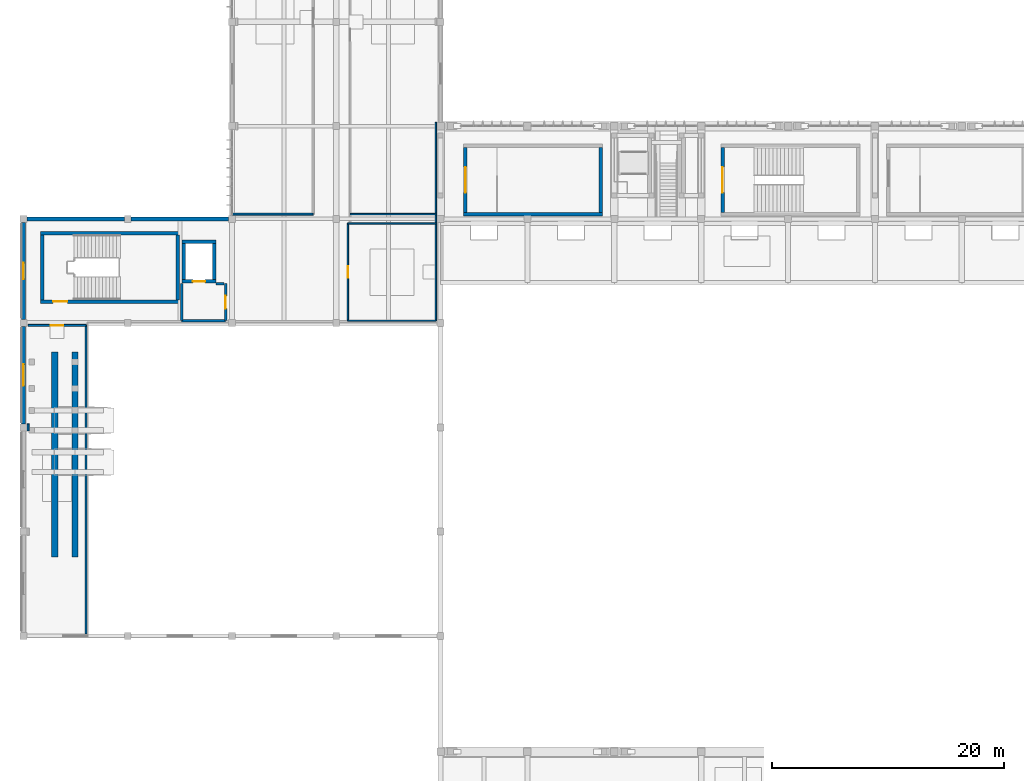
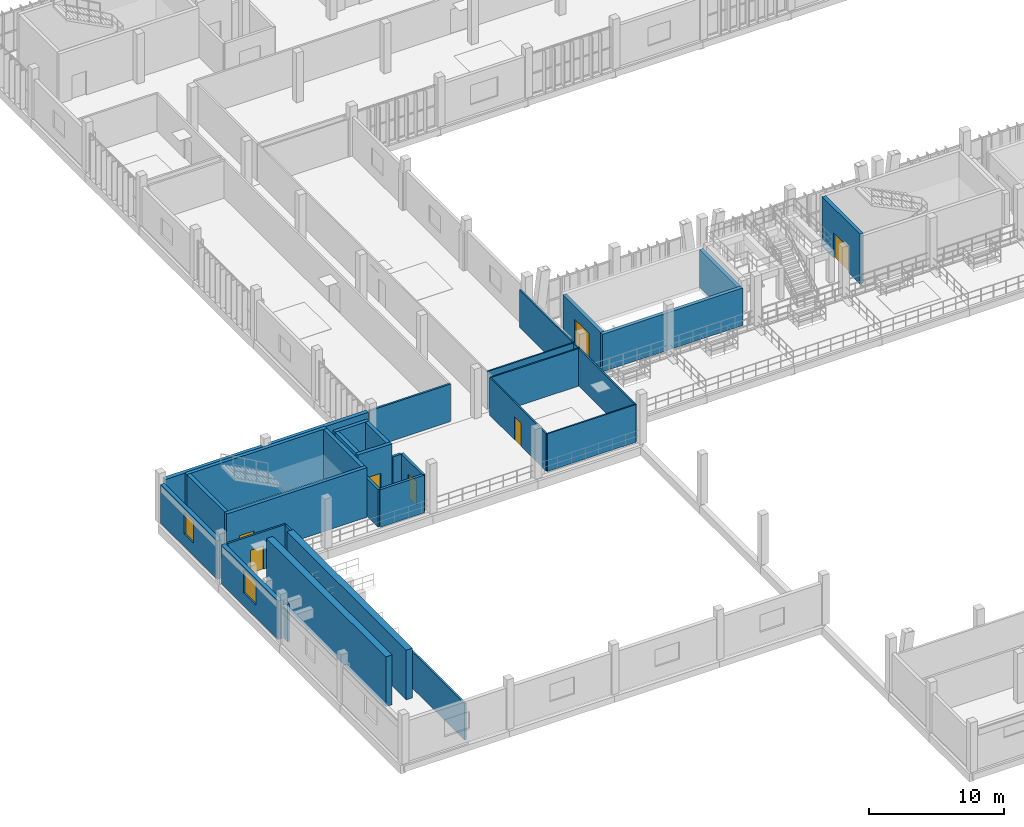
# One storey, part 52 of 81: 32 walls, 7 doors, 2 windows, 9 openings.
"""IFC4 building model written with IfcOpenShell, lengths in metres."""

from ifc_helpers import new_model, si_unit, direction, frame, frame_2d, origin, place, context, subcontext, project, spatial, rectangle, extrude, material, layer, layer_set, type_object, element, fill, save


model = new_model("IFC4")

# Units and contexts
model_context = context("Model", 3, precision=1e-05, world=origin(), true_north=direction((0.0, 1.0)))
body_context = subcontext(model_context, "Body", "Model", "MODEL_VIEW")
ifc_project = project(units=[si_unit("LENGTHUNIT", "METRE"), si_unit("AREAUNIT", "SQUARE_METRE"), si_unit("VOLUMEUNIT", "CUBIC_METRE"), si_unit("PLANEANGLEUNIT", "RADIAN"), si_unit("MASSUNIT", "GRAM", prefix="KILO")], contexts=[model_context])

# Site, building, storey
site_placement = place(None, origin())
site = spatial("IfcSite", under=ifc_project, at=site_placement, CompositionType="ELEMENT")
building_placement = place(site_placement, origin())
building = spatial("IfcBuilding", under=site, at=building_placement, Name="Vourika Railside Aquatics Centre", CompositionType="ELEMENT")
storey_placement = place(building_placement, frame((0.0, 0.0, 4.800048828125)))
storey = spatial("IfcBuildingStorey", under=building, at=storey_placement, Name="L01", CompositionType="ELEMENT", Elevation=4.800048828125)

# Wall, opening, door
ifc_material_1 = material(Name="Concrete C40/50", Category="concrete")
ifc_layer_1 = layer(ifc_material_1, 0.300048828125, Name="WL-CORE")
ifc_layer_set_1 = layer_set([ifc_layer_1], Name="Concrete C40/50")
wall_type_1 = type_object("IfcWallType", Name="WL-CORE", PredefinedType="SHEAR", material=ifc_layer_set_1)
wall_1_placement = place(storey_placement, frame((1.449951171875, 50.85009765625, 0.0), z_axis=(0.0, 0.0, 1.0), x_axis=(1.0, 0.0, 0.0)))
wall_1 = element("IfcWall", 1, at=wall_1_placement, inside=storey, type_object=wall_type_1, Name="Protected Exit Stair Core ST04 South Wall (L01)", PredefinedType="SHEAR", context=body_context, shape_type="SweptSolid", body=[
    extrude(rectangle(XDim=12.0, YDim=0.300048828125, at=frame_2d((6.0, 0.0))), origin(), (0.0, 0.0, 1.0), 4.5),
])
opening_1_placement = place(wall_1_placement, frame((1.10009765625, 0.0, 0.0)))
opening_1 = element("IfcOpeningElement", 2, at=opening_1_placement, cuts=wall_1, Name="Opening DF02", PredefinedType="OPENING", context=body_context, shape_type="SweptSolid", body=[
    extrude(rectangle(XDim=1.25, YDim=2.14990234375, at=frame_2d((0.625, 1.074951171875))), frame((0.0, 0.16015625, 0.0), z_axis=(0.0, -1.0, 0.0), x_axis=(1.0, 0.0, 0.0)), (0.0, 0.0, 1.0), 0.320068359375),
])
ifc_material_2 = material(Name="Fire-rated wide exit stair door")
door_type_1 = type_object("IfcDoorType", Name="DR-FD60-125", OperationType="NOTDEFINED", PredefinedType="DOOR", material=ifc_material_2)
door_1_placement = place(opening_1_placement, origin())
door_1 = element("IfcDoor", 3, at=door_1_placement, inside=storey, type_object=door_type_1, Name="Protected Exit Stair Core ST04 Enclosure Fire Door (L01)", OperationType="SINGLE_SWING_RIGHT", OverallHeight=2.14990234375, OverallWidth=1.25, PredefinedType="DOOR", context=body_context, shape_type="SweptSolid", body=[
    extrude(rectangle(XDim=1.25, YDim=2.14990234375, at=frame_2d((0.625, 1.074951171875))), frame((0.0, 0.02490234375, 0.0), z_axis=(0.0, -1.0, 0.0), x_axis=(1.0, 0.0, 0.0)), (0.0, 0.0, 1.0), 0.050048828125),
])
fill(opening_1, door_1)

# Walls
wall_2_placement = place(storey_placement, frame((13.449951171875, 56.75, 0.0), z_axis=(0.0, 0.0, 1.0), x_axis=(-1.0, 0.0, 0.0)))
element("IfcWall", 4, at=wall_2_placement, inside=storey, type_object=wall_type_1, Name="Protected Exit Stair Core ST04 North Wall (L01)", PredefinedType="SHEAR", context=body_context, shape_type="SweptSolid", body=[
    extrude(rectangle(XDim=12.0, YDim=0.300048828125, at=frame_2d((6.0, 0.0))), origin(), (0.0, 0.0, 1.0), 4.5),
])
for number, where, z_axis, x_axis, name in (
    (5, (1.60009765625, 56.60009765625, 0.0), (0.0, 0.0, 1.0), (0.0, -1.0, 0.0), "Protected Exit Stair Core ST04 West Wall (L01)"),
    (6, (13.300048828125, 51.0, 0.0), (0.0, 0.0, 1.0), (0.0, 1.0, 0.0), "Protected Exit Stair Core ST04 East Wall (L01)"),
):
    element("IfcWall", number, at=place(storey_placement, frame(where, z_axis=z_axis, x_axis=x_axis)), inside=storey, type_object=wall_type_1, Name=name, PredefinedType="SHEAR", context=body_context, shape_type="SweptSolid", body=[
        extrude(rectangle(XDim=5.60009765625, YDim=0.300048828125, at=frame_2d((2.800048828125, 0.0))), origin(), (0.0, 0.0, 1.0), 4.5),
    ])
wall_3_placement = place(storey_placement, frame((38.0, 58.39990234375, 0.0), z_axis=(0.0, 0.0, 1.0), x_axis=(1.0, 0.0, 0.0)))
element("IfcWall", 7, at=wall_3_placement, inside=storey, type_object=wall_type_1, Name="Grandstand Vomitory Exit Stair ST07 South Wall (L01)", PredefinedType="SHEAR", context=body_context, shape_type="SweptSolid", body=[
    extrude(rectangle(XDim=12.0, YDim=0.300048828125, at=frame_2d((6.0, 0.0))), origin(), (0.0, 0.0, 1.0), 3.39990234375),
])

# Wall, opening, door
wall_4_placement = place(storey_placement, frame((38.14990234375, 64.14990234375, 0.0), z_axis=(0.0, 0.0, 1.0), x_axis=(0.0, -1.0, 0.0)))
wall_4 = element("IfcWall", 8, at=wall_4_placement, inside=storey, type_object=wall_type_1, Name="Grandstand Vomitory Exit Stair ST07 West Wall (L01)", PredefinedType="SHEAR", context=body_context, shape_type="SweptSolid", body=[
    extrude(rectangle(XDim=5.599853515625, YDim=0.300048828125, at=frame_2d((2.7998046875, 0.0))), origin(), (0.0, 0.0, 1.0), 3.39990234375),
])
opening_2_placement = place(wall_4_placement, frame((1.699951171875, 0.0, 0.0)))
opening_2 = element("IfcOpeningElement", 9, at=opening_2_placement, cuts=wall_4, Name="Opening DF04", PredefinedType="OPENING", context=body_context, shape_type="SweptSolid", body=[
    extrude(rectangle(XDim=2.199951171875, YDim=2.25, at=frame_2d((1.10009765625, 1.125))), frame((0.0, 0.16015625, 0.0), z_axis=(0.0, -1.0, 0.0), x_axis=(1.0, 0.0, 0.0)), (0.0, 0.0, 1.0), 0.320068359375),
])
ifc_material_3 = material(Name="Fire-rated vomitory concourse double door")
door_type_2 = type_object("IfcDoorType", Name="DR-FD60D-220", OperationType="DOUBLE_DOOR_SINGLE_SWING", PredefinedType="DOOR", material=ifc_material_3)
door_2_placement = place(opening_2_placement, origin())
door_2 = element("IfcDoor", 10, at=door_2_placement, inside=storey, type_object=door_type_2, Name="Grandstand Vomitory Exit Stair ST07 Vomitory Portal Door (L01)", OperationType="DOUBLE_DOOR_SINGLE_SWING", OverallHeight=2.25, OverallWidth=2.199951171875, PredefinedType="DOOR", context=body_context, shape_type="SweptSolid", body=[
    extrude(rectangle(XDim=2.199951171875, YDim=2.25, at=frame_2d((1.10009765625, 1.125))), frame((0.0, 0.02490234375, 0.0), z_axis=(0.0, -1.0, 0.0), x_axis=(1.0, 0.0, 0.0)), (0.0, 0.0, 1.0), 0.050048828125),
])
fill(opening_2, door_2)

# Wall
wall_5_placement = place(storey_placement, frame((49.85009765625, 58.550048828125, 0.0), z_axis=(0.0, 0.0, 1.0), x_axis=(0.0, 1.0, 0.0)))
element("IfcWall", 11, at=wall_5_placement, inside=storey, type_object=wall_type_1, Name="Grandstand Vomitory Exit Stair ST07 East Wall (L01)", PredefinedType="SHEAR", context=body_context, shape_type="SweptSolid", body=[
    extrude(rectangle(XDim=5.599853515625, YDim=0.300048828125, at=frame_2d((2.7998046875, 0.0))), origin(), (0.0, 0.0, 1.0), 3.39990234375),
])

# Wall, opening, door
wall_6_placement = place(storey_placement, frame((60.35009765625, 64.14990234375, 0.0), z_axis=(0.0, 0.0, 1.0), x_axis=(0.0, -1.0, 0.0)))
wall_6 = element("IfcWall", 12, at=wall_6_placement, inside=storey, type_object=wall_type_1, Name="Grandstand Vomitory Exit Stair ST08 West Wall (L01)", PredefinedType="SHEAR", context=body_context, shape_type="SweptSolid", body=[
    extrude(rectangle(XDim=5.599853515625, YDim=0.300048828125, at=frame_2d((2.7998046875, 0.0))), origin(), (0.0, 0.0, 1.0), 4.5),
])
opening_3_placement = place(wall_6_placement, frame((1.699951171875, 0.0, 0.0)))
opening_3 = element("IfcOpeningElement", 13, at=opening_3_placement, cuts=wall_6, Name="Opening DF04", PredefinedType="OPENING", context=body_context, shape_type="SweptSolid", body=[
    extrude(rectangle(XDim=2.199951171875, YDim=2.25, at=frame_2d((1.10009765625, 1.125))), frame((0.0, 0.16015625, 0.0), z_axis=(0.0, -1.0, 0.0), x_axis=(1.0, 0.0, 0.0)), (0.0, 0.0, 1.0), 0.320068359375),
])
door_3_placement = place(opening_3_placement, origin())
door_3 = element("IfcDoor", 14, at=door_3_placement, inside=storey, type_object=door_type_2, Name="Grandstand Vomitory Exit Stair ST08 Vomitory Portal Door (L01)", OperationType="DOUBLE_DOOR_SINGLE_SWING", OverallHeight=2.25, OverallWidth=2.199951171875, PredefinedType="DOOR", context=body_context, shape_type="SweptSolid", body=[
    extrude(rectangle(XDim=2.199951171875, YDim=2.25, at=frame_2d((1.10009765625, 1.125))), frame((0.0, 0.02490234375, 0.0), z_axis=(0.0, -1.0, 0.0), x_axis=(1.0, 0.0, 0.0)), (0.0, 0.0, 1.0), 0.050048828125),
])
fill(opening_3, door_3)

wall_7_placement = place(storey_placement, frame((13.699951171875, 52.60009765625, 0.0), z_axis=(0.0, 0.0, 1.0), x_axis=(1.0, 0.0, 0.0)))
wall_7 = element("IfcWall", 15, at=wall_7_placement, inside=storey, type_object=wall_type_1, Name="Lift LP02 Shaft South Wall (L01)", PredefinedType="SHEAR", context=body_context, shape_type="SweptSolid", body=[
    extrude(rectangle(XDim=2.900146484375, YDim=0.300048828125, at=frame_2d((1.4501953125, 0.0))), origin(), (0.0, 0.0, 1.0), 4.5),
])
opening_4_placement = place(wall_7_placement, frame((0.925048828125, 0.0, 0.0)))
opening_4 = element("IfcOpeningElement", 16, at=opening_4_placement, cuts=wall_7, Name="Opening LD02", PredefinedType="OPENING", context=body_context, shape_type="SweptSolid", body=[
    extrude(rectangle(XDim=1.050048828125, YDim=2.14990234375, at=frame_2d((0.52490234375, 1.074951171875))), frame((0.0, 0.16015625, 0.0), z_axis=(0.0, -1.0, 0.0), x_axis=(1.0, 0.0, 0.0)), (0.0, 0.0, 1.0), 0.320068359375),
])
ifc_material_4 = material(Name="Stainless passenger lift landing door")
door_type_3 = type_object("IfcDoorType", Name="DR-LIFT-LD2", OperationType="DOUBLE_DOOR_SLIDING", PredefinedType="DOOR", material=ifc_material_4)
door_4_placement = place(opening_4_placement, origin())
door_4 = element("IfcDoor", 17, at=door_4_placement, inside=storey, type_object=door_type_3, Name="Lift LP02 Sliding Landing Door (L01)", OperationType="DOUBLE_DOOR_SLIDING", OverallHeight=2.14990234375, OverallWidth=1.050048828125, PredefinedType="DOOR", context=body_context, shape_type="SweptSolid", body=[
    extrude(rectangle(XDim=1.050048828125, YDim=2.14990234375, at=frame_2d((0.52490234375, 1.074951171875))), frame((0.0, 0.02490234375, 0.0), z_axis=(0.0, -1.0, 0.0), x_axis=(1.0, 0.0, 0.0)), (0.0, 0.0, 1.0), 0.050048828125),
])
fill(opening_4, door_4)

# Walls
wall_8_placement = place(storey_placement, frame((16.60009765625, 56.0, 0.0), z_axis=(0.0, 0.0, 1.0), x_axis=(-1.0, 0.0, 0.0)))
element("IfcWall", 18, at=wall_8_placement, inside=storey, type_object=wall_type_1, Name="Lift LP02 Shaft North Wall (L01)", PredefinedType="SHEAR", context=body_context, shape_type="SweptSolid", body=[
    extrude(rectangle(XDim=2.900146484375, YDim=0.300048828125, at=frame_2d((1.4501953125, 0.0))), origin(), (0.0, 0.0, 1.0), 4.5),
])
for number, where, z_axis, x_axis, name in (
    (19, (13.85009765625, 56.0, 0.0), (0.0, 0.0, 1.0), (0.0, -1.0, 0.0), "Lift LP02 Shaft West Wall (L01)"),
    (20, (16.449951171875, 52.60009765625, 0.0), (0.0, 0.0, 1.0), (0.0, 1.0, 0.0), "Lift LP02 Shaft East Wall (L01)"),
):
    element("IfcWall", number, at=place(storey_placement, frame(where, z_axis=z_axis, x_axis=x_axis)), inside=storey, type_object=wall_type_1, Name=name, PredefinedType="SHEAR", context=body_context, shape_type="SweptSolid", body=[
        extrude(rectangle(XDim=3.39990234375, YDim=0.300048828125, at=frame_2d((1.699951171875, 0.0))), origin(), (0.0, 0.0, 1.0), 4.5),
    ])
ifc_layer_2 = layer(ifc_material_1, 0.550048828125, Name="WL-DIVE-550")
ifc_layer_set_2 = layer_set([ifc_layer_2], Name="Concrete C40/50")
wall_type_2 = type_object("IfcWallType", Name="WL-DIVE-550", PredefinedType="SOLIDWALL", material=ifc_layer_set_2)
for number, where, z_axis, x_axis, name in (
    (21, (2.699951171875, 28.800048828125, 0.0), (0.0, 0.0, 1.0), (0.0, 1.0, 0.0), "Sculpted Diving Tower Spine Wall W (L01)"),
    (22, (4.449951171875, 28.800048828125, 0.0), (0.0, 0.0, 1.0), (0.0, 1.0, 0.0), "Sculpted Diving Tower Spine Wall E (L01)"),
):
    element("IfcWall", number, at=place(storey_placement, frame(where, z_axis=z_axis, x_axis=x_axis)), inside=storey, type_object=wall_type_2, Name=name, PredefinedType="SOLIDWALL", context=body_context, shape_type="SweptSolid", body=[
        extrude(rectangle(XDim=17.699951171875, YDim=0.550048828125, at=frame_2d((8.85009765625, 0.0))), origin(), (0.0, 0.0, 1.0), 4.5),
    ])

# Wall, opening, window
ifc_material_5 = material(Name="Precast concrete C40/50", Category="concrete")
ifc_layer_3 = layer(ifc_material_5, 0.340087890625, Name="WL-EXT-340")
ifc_layer_set_3 = layer_set([ifc_layer_3], Name="Precast concrete C40/50")
wall_type_3 = type_object("IfcWallType", Name="WL-EXT-340", PredefinedType="SOLIDWALL", material=ifc_layer_set_3)
wall_9_placement = place(storey_placement, frame((0.0, 48.699951171875, 0.0), z_axis=(0.0, 0.0, 1.0), x_axis=(0.0, -1.0, 0.0)))
wall_9 = element("IfcWall", 23, at=wall_9_placement, inside=storey, type_object=wall_type_3, Name="Diving Hall West Precast Wall (L01-3)", PredefinedType="SOLIDWALL", context=body_context, shape_type="SweptSolid", body=[
    extrude(rectangle(XDim=8.39990234375, YDim=0.340087890625, at=frame_2d((4.199951171875, 0.0))), origin(), (0.0, 0.0, 1.0), 3.5),
])
opening_5_placement = place(wall_9_placement, frame((3.27490234375, 0.0, 1.14990234375)))
opening_5 = element("IfcOpeningElement", 24, at=opening_5_placement, cuts=wall_9, Name="Opening W15", PredefinedType="OPENING", context=body_context, shape_type="SweptSolid", body=[
    extrude(rectangle(XDim=1.85009765625, YDim=2.10009765625, at=frame_2d((0.925048828125, 1.050048828125))), frame((0.0, 0.18017578125, 0.0), z_axis=(0.0, -1.0, 0.0), x_axis=(1.0, 0.0, 0.0)), (0.0, 0.0, 1.0), 0.360107421875),
])
ifc_material_6 = material(Name="Laminated solar-control glass", Category="glass")
window_type_1 = type_object("IfcWindowType", Name="WN-DIV-185x210", PartitioningType="DOUBLE_PANEL_VERTICAL", PredefinedType="WINDOW", material=ifc_material_6)
window_1_placement = place(opening_5_placement, origin())
window_1 = element("IfcWindow", 25, at=window_1_placement, inside=storey, type_object=window_type_1, Name="Diving Gallery West Window L01-3", OverallHeight=2.10009765625, OverallWidth=1.85009765625, PartitioningType="SINGLE_PANEL", PredefinedType="WINDOW", context=body_context, shape_type="SweptSolid", body=[
    extrude(rectangle(XDim=1.85009765625, YDim=2.10009765625, at=frame_2d((0.925048828125, 1.050048828125))), frame((0.0, 0.030029296875, 0.0), z_axis=(0.0, -1.0, 0.0), x_axis=(1.0, 0.0, 0.0)), (0.0, 0.0, 1.0), 0.06005859375),
])
fill(opening_5, window_1)

wall_10_placement = place(storey_placement, frame((0.0, 57.699951171875, 0.0), z_axis=(0.0, 0.0, 1.0), x_axis=(0.0, -1.0, 0.0)))
wall_10 = element("IfcWall", 26, at=wall_10_placement, inside=storey, type_object=wall_type_3, Name="Diving Hall West Precast Wall (L01-4)", PredefinedType="SOLIDWALL", context=body_context, shape_type="SweptSolid", body=[
    extrude(rectangle(XDim=8.39990234375, YDim=0.340087890625, at=frame_2d((4.199951171875, 0.0))), origin(), (0.0, 0.0, 1.0), 3.5),
])
opening_6_placement = place(wall_10_placement, frame((3.5, 0.0, 1.14990234375)))
opening_6 = element("IfcOpeningElement", 27, at=opening_6_placement, cuts=wall_10, Name="Opening W16", PredefinedType="OPENING", context=body_context, shape_type="SweptSolid", body=[
    extrude(rectangle(XDim=1.39990234375, YDim=1.949951171875, at=frame_2d((0.699951171875, 0.97509765625))), frame((0.0, 0.18017578125, 0.0), z_axis=(0.0, -1.0, 0.0), x_axis=(1.0, 0.0, 0.0)), (0.0, 0.0, 1.0), 0.360107421875),
])
window_type_2 = type_object("IfcWindowType", Name="WN-DIV-140x195", PartitioningType="SINGLE_PANEL", PredefinedType="WINDOW", material=ifc_material_6)
window_2_placement = place(opening_6_placement, origin())
window_2 = element("IfcWindow", 28, at=window_2_placement, inside=storey, type_object=window_type_2, Name="Diving Gallery West Window L01-4", OverallHeight=1.949951171875, OverallWidth=1.39990234375, PartitioningType="SINGLE_PANEL", PredefinedType="WINDOW", context=body_context, shape_type="SweptSolid", body=[
    extrude(rectangle(XDim=1.39990234375, YDim=1.949951171875, at=frame_2d((0.699951171875, 0.97509765625))), frame((0.0, 0.030029296875, 0.0), z_axis=(0.0, -1.0, 0.0), x_axis=(1.0, 0.0, 0.0)), (0.0, 0.0, 1.0), 0.06005859375),
])
fill(opening_6, window_2)

# Walls
for number, where, z_axis, x_axis, name in (
    (29, (8.699951171875, 58.0, 0.0), (0.0, 0.0, 1.0), (-1.0, 0.0, 0.0), "Diving Hall North Wall (L01-1)"),
    (30, (17.699951171875, 58.0, 0.0), (0.0, 0.0, 1.0), (-1.0, 0.0, 0.0), "Diving Hall North Wall (L01-2)"),
):
    element("IfcWall", number, at=place(storey_placement, frame(where, z_axis=z_axis, x_axis=x_axis)), inside=storey, type_object=wall_type_3, Name=name, PredefinedType="SOLIDWALL", context=body_context, shape_type="SweptSolid", body=[
        extrude(rectangle(XDim=8.39990234375, YDim=0.340087890625, at=frame_2d((4.199951171875, 0.0))), origin(), (0.0, 0.0, 1.0), 3.699951171875),
    ])
ifc_material_7 = material(Name="Concrete C35/45", Category="concrete")
ifc_layer_4 = layer(ifc_material_7, 0.219970703125, Name="WL-FIRE")
ifc_layer_set_4 = layer_set([ifc_layer_4], Name="Concrete C35/45")
wall_type_4 = type_object("IfcWallType", Name="WL-FIRE", PredefinedType="SOLIDWALL", material=ifc_layer_set_4)
wall_11_placement = place(storey_placement, frame((13.64990234375, 49.199951171875, 0.0), z_axis=(0.0, 0.0, 1.0), x_axis=(1.0, 0.0, 0.0)))
element("IfcWall", 31, at=wall_11_placement, inside=storey, type_object=wall_type_4, Name="Lift LP02 Lobby Corridor Fire Wall (L01)", PredefinedType="SOLIDWALL", context=body_context, shape_type="SweptSolid", body=[
    extrude(rectangle(XDim=3.800048828125, YDim=0.219970703125, at=frame_2d((1.89990234375, 0.0))), origin(), (0.0, 0.0, 1.0), 3.39990234375),
])
wall_12_placement = place(storey_placement, frame((13.64990234375, 49.199951171875, 0.0), z_axis=(0.0, 0.0, 1.0), x_axis=(0.0, 1.0, 0.0)))
element("IfcWall", 32, at=wall_12_placement, inside=storey, type_object=wall_type_4, Name="Lift LP02 Lobby West Fire Wall (L01)", PredefinedType="SOLIDWALL", context=body_context, shape_type="SweptSolid", body=[
    extrude(rectangle(XDim=3.199951171875, YDim=0.219970703125, at=frame_2d((1.60009765625, 0.0))), origin(), (0.0, 0.0, 1.0), 3.39990234375),
])

# Wall, opening, door
wall_13_placement = place(storey_placement, frame((17.449951171875, 49.199951171875, 0.0), z_axis=(0.0, 0.0, 1.0), x_axis=(0.0, 1.0, 0.0)))
wall_13 = element("IfcWall", 33, at=wall_13_placement, inside=storey, type_object=wall_type_4, Name="Lift LP02 Lobby East Fire Wall (L01)", PredefinedType="SOLIDWALL", context=body_context, shape_type="SweptSolid", body=[
    extrude(rectangle(XDim=3.199951171875, YDim=0.219970703125, at=frame_2d((1.60009765625, 0.0))), origin(), (0.0, 0.0, 1.0), 3.39990234375),
])
opening_7_placement = place(wall_13_placement, frame((1.050048828125, 0.0, 0.0)))
opening_7 = element("IfcOpeningElement", 34, at=opening_7_placement, cuts=wall_13, Name="Opening DF01", PredefinedType="OPENING", context=body_context, shape_type="SweptSolid", body=[
    extrude(rectangle(XDim=1.10009765625, YDim=2.14990234375, at=frame_2d((0.550048828125, 1.074951171875))), frame((0.0, 0.1201171875, 0.0), z_axis=(0.0, -1.0, 0.0), x_axis=(1.0, 0.0, 0.0)), (0.0, 0.0, 1.0), 0.239990234375),
])
ifc_material_8 = material(Name="Fire-rated steel and timber core door", Category="steel")
door_type_4 = type_object("IfcDoorType", Name="DR-FD60", OperationType="NOTDEFINED", PredefinedType="DOOR", material=ifc_material_8)
door_5_placement = place(opening_7_placement, origin())
door_5 = element("IfcDoor", 35, at=door_5_placement, inside=storey, type_object=door_type_4, Name="Lift LP02 Lobby Fire Door (L01)", OperationType="SINGLE_SWING_RIGHT", OverallHeight=2.14990234375, OverallWidth=1.10009765625, PredefinedType="DOOR", context=body_context, shape_type="SweptSolid", body=[
    extrude(rectangle(XDim=1.10009765625, YDim=2.14990234375, at=frame_2d((0.550048828125, 1.074951171875))), frame((0.0, 0.02490234375, 0.0), z_axis=(0.0, -1.0, 0.0), x_axis=(1.0, 0.0, 0.0)), (0.0, 0.0, 1.0), 0.050048828125),
])
fill(opening_7, door_5)

# Walls
wall_14_placement = place(storey_placement, frame((16.60009765625, 52.39990234375, 0.0), z_axis=(0.0, 0.0, 1.0), x_axis=(1.0, 0.0, 0.0)))
element("IfcWall", 36, at=wall_14_placement, inside=storey, type_object=wall_type_4, Name="Lift LP02 Lobby North-East Closure Wall (L01)", PredefinedType="SOLIDWALL", context=body_context, shape_type="SweptSolid", body=[
    extrude(rectangle(XDim=0.72998046875, YDim=0.219970703125, at=frame_2d((0.364990234375, 0.0))), origin(), (0.0, 0.0, 1.0), 3.39990234375),
])
ifc_material_9 = material(Name="Lightweight drylining partition")
ifc_layer_5 = layer(ifc_material_9, 0.1201171875, Name="WL-PART-120")
ifc_layer_set_5 = layer_set([ifc_layer_5], Name="Lightweight drylining partition")
wall_type_5 = type_object("IfcWallType", Name="WL-PART-120", PredefinedType="PARTITIONING", material=ifc_layer_set_5)
wall_15_placement = place(storey_placement, frame((35.60009765625, 57.60009765625, 0.0), z_axis=(0.0, 0.0, 1.0), x_axis=(0.0, -1.0, 0.0)))
element("IfcWall", 37, at=wall_15_placement, inside=storey, type_object=wall_type_5, Name="Diving Judges and Coaching Observation Deck Partition 1", PredefinedType="PARTITIONING", context=body_context, shape_type="SweptSolid", body=[
    extrude(rectangle(XDim=8.400146484375, YDim=0.1201171875, at=frame_2d((4.2001953125, 0.0))), origin(), (0.0, 0.0, 1.0), 3.39990234375),
])

# Wall, opening, door
wall_16_placement = place(storey_placement, frame((28.0, 49.199951171875, 0.0), z_axis=(0.0, 0.0, 1.0), x_axis=(0.0, 1.0, 0.0)))
wall_16 = element("IfcWall", 38, at=wall_16_placement, inside=storey, type_object=wall_type_5, Name="Diving Judges and Coaching Observation Deck Partition 2", PredefinedType="PARTITIONING", context=body_context, shape_type="SweptSolid", body=[
    extrude(rectangle(XDim=8.400146484375, YDim=0.1201171875, at=frame_2d((4.2001953125, 0.0))), origin(), (0.0, 0.0, 1.0), 3.39990234375),
])
opening_8_placement = place(wall_16_placement, frame((3.699951171875, 0.0, 0.0)))
opening_8 = element("IfcOpeningElement", 39, at=opening_8_placement, cuts=wall_16, Name="Opening DI01", PredefinedType="OPENING", context=body_context, shape_type="SweptSolid", body=[
    extrude(rectangle(XDim=1.0, YDim=2.10009765625, at=frame_2d((0.5, 1.050048828125))), frame((0.0, 0.070068359375, 0.0), z_axis=(0.0, -1.0, 0.0), x_axis=(1.0, 0.0, 0.0)), (0.0, 0.0, 1.0), 0.14013671875),
])
ifc_material_10 = material(Name="Anodized aluminium and laminate door", Category="aluminium")
door_type_5 = type_object("IfcDoorType", Name="DR-INT-1000", OperationType="NOTDEFINED", PredefinedType="DOOR", material=ifc_material_10)
door_6_placement = place(opening_8_placement, origin())
door_6 = element("IfcDoor", 40, at=door_6_placement, inside=storey, type_object=door_type_5, Name="Diving Judges and Coaching Observation Deck Door", OperationType="SINGLE_SWING_LEFT", OverallHeight=2.10009765625, OverallWidth=1.0, PredefinedType="DOOR", context=body_context, shape_type="SweptSolid", body=[
    extrude(rectangle(XDim=1.0, YDim=2.10009765625, at=frame_2d((0.5, 1.050048828125))), frame((0.0, 0.02490234375, 0.0), z_axis=(0.0, -1.0, 0.0), x_axis=(1.0, 0.0, 0.0)), (0.0, 0.0, 1.0), 0.050048828125),
])
fill(opening_8, door_6)

# Walls
for number, where, z_axis, x_axis, name in (
    (41, (35.60009765625, 49.199951171875, 0.0), (0.0, 0.0, 1.0), (-1.0, 0.0, 0.0), "Diving Judges and Coaching Observation Deck Partition 3"),
    (42, (28.0, 57.60009765625, 0.0), (0.0, 0.0, 1.0), (1.0, 0.0, 0.0), "Diving Judges and Coaching Observation Deck Partition 4"),
):
    element("IfcWall", number, at=place(storey_placement, frame(where, z_axis=z_axis, x_axis=x_axis)), inside=storey, type_object=wall_type_5, Name=name, PredefinedType="PARTITIONING", context=body_context, shape_type="SweptSolid", body=[
        extrude(rectangle(XDim=7.60009765625, YDim=0.1201171875, at=frame_2d((3.800048828125, 0.0))), origin(), (0.0, 0.0, 1.0), 3.39990234375),
    ])
wall_17_placement = place(storey_placement, frame((35.60009765625, 66.324951171875, 0.0), z_axis=(0.0, 0.0, 1.0), x_axis=(0.0, -1.0, 0.0)))
element("IfcWall", 43, at=wall_17_placement, inside=storey, type_object=wall_type_5, Name="Members Fitness Assessment Lounge Partition 2", PredefinedType="PARTITIONING", context=body_context, shape_type="SweptSolid", body=[
    extrude(rectangle(XDim=8.68505859375, YDim=0.1201171875, at=frame_2d((4.342529296875, 0.0))), origin(), (0.0, 0.0, 1.0), 3.39990234375),
])
wall_18_placement = place(storey_placement, frame((35.60009765625, 58.39990234375, 0.0), z_axis=(0.0, 0.0, 1.0), x_axis=(-1.0, 0.0, 0.0)))
element("IfcWall", 44, at=wall_18_placement, inside=storey, type_object=wall_type_5, Name="Members Fitness Assessment Lounge Partition 3", PredefinedType="PARTITIONING", context=body_context, shape_type="SweptSolid", body=[
    extrude(rectangle(XDim=7.400146484375, YDim=0.1201171875, at=frame_2d((3.7001953125, 0.0))), origin(), (0.0, 0.0, 1.0), 3.39990234375),
])

# Wall, opening, door
ifc_material_11 = material(Name="Acoustic twin-stud partition")
ifc_layer_6 = layer(ifc_material_11, 0.159912109375, Name="WL-PART-160")
ifc_layer_set_6 = layer_set([ifc_layer_6], Name="Acoustic twin-stud partition")
wall_type_6 = type_object("IfcWallType", Name="WL-PART-160", PredefinedType="PARTITIONING", material=ifc_layer_set_6)
wall_19_placement = place(storey_placement, frame((0.39990234375, 48.800048828125, 0.0), z_axis=(0.0, 0.0, 1.0), x_axis=(1.0, 0.0, 0.0)))
wall_19 = element("IfcWall", 45, at=wall_19_placement, inside=storey, type_object=wall_type_6, Name="Dryland Diving Trampoline and Harness Studio Partition 1", PredefinedType="PARTITIONING", context=body_context, shape_type="SweptSolid", body=[
    extrude(rectangle(XDim=5.0, YDim=0.159912109375, at=frame_2d((2.5, 0.0))), origin(), (0.0, 0.0, 1.0), 3.39990234375),
])
opening_9_placement = place(wall_19_placement, frame((1.949951171875, 0.0, 0.0)))
opening_9 = element("IfcOpeningElement", 46, at=opening_9_placement, cuts=wall_19, Name="Opening DI02", PredefinedType="OPENING", context=body_context, shape_type="SweptSolid", body=[
    extrude(rectangle(XDim=1.10009765625, YDim=2.10009765625, at=frame_2d((0.550048828125, 1.050048828125))), frame((0.0, 0.08984375, 0.0), z_axis=(0.0, -1.0, 0.0), x_axis=(1.0, 0.0, 0.0)), (0.0, 0.0, 1.0), 0.179931640625),
])
ifc_material_12 = material(Name="Accessible clinic and studio door")
door_type_6 = type_object("IfcDoorType", Name="DR-INT-1100", OperationType="NOTDEFINED", PredefinedType="DOOR", material=ifc_material_12)
door_7_placement = place(opening_9_placement, origin())
door_7 = element("IfcDoor", 47, at=door_7_placement, inside=storey, type_object=door_type_6, Name="Dryland Diving Trampoline and Harness Studio Door", OperationType="SINGLE_SWING_RIGHT", OverallHeight=2.10009765625, OverallWidth=1.10009765625, PredefinedType="DOOR", context=body_context, shape_type="SweptSolid", body=[
    extrude(rectangle(XDim=1.10009765625, YDim=2.10009765625, at=frame_2d((0.550048828125, 1.050048828125))), frame((0.0, 0.02490234375, 0.0), z_axis=(0.0, -1.0, 0.0), x_axis=(1.0, 0.0, 0.0)), (0.0, 0.0, 1.0), 0.050048828125),
])
fill(opening_9, door_7)

# Walls
wall_20_placement = place(storey_placement, frame((0.39990234375, 39.699951171875, 0.0), z_axis=(0.0, 0.0, 1.0), x_axis=(0.0, 1.0, 0.0)))
element("IfcWall", 48, at=wall_20_placement, inside=storey, type_object=wall_type_6, Name="Dryland Diving Trampoline and Harness Studio Partition 2", PredefinedType="PARTITIONING", context=body_context, shape_type="SweptSolid", body=[
    extrude(rectangle(XDim=0.60009765625, YDim=0.159912109375, at=frame_2d((0.300048828125, 0.0))), origin(), (0.0, 0.0, 1.0), 3.39990234375),
])
wall_21_placement = place(storey_placement, frame((5.39990234375, 48.800048828125, 0.0), z_axis=(0.0, 0.0, 1.0), x_axis=(0.0, -1.0, 0.0)))
element("IfcWall", 49, at=wall_21_placement, inside=storey, type_object=wall_type_6, Name="Dryland Diving Trampoline and Harness Studio Partition 3", PredefinedType="PARTITIONING", context=body_context, shape_type="SweptSolid", body=[
    extrude(rectangle(XDim=26.650146484375, YDim=0.159912109375, at=frame_2d((13.3251953125, 0.0))), origin(), (0.0, 0.0, 1.0), 3.304931640625),
])
wall_22_placement = place(storey_placement, frame((25.0, 58.39990234375, 0.0), z_axis=(0.0, 0.0, 1.0), x_axis=(-1.0, 0.0, 0.0)))
element("IfcWall", 50, at=wall_22_placement, inside=storey, type_object=wall_type_6, Name="Pilates and Trunk Mobility Studio Partition 3", PredefinedType="PARTITIONING", context=body_context, shape_type="SweptSolid", body=[
    extrude(rectangle(XDim=6.94189453125, YDim=0.159912109375, at=frame_2d((3.470947265625, 0.0))), origin(), (0.0, 0.0, 1.0), 3.39990234375),
])

save(model, "model.ifc")
